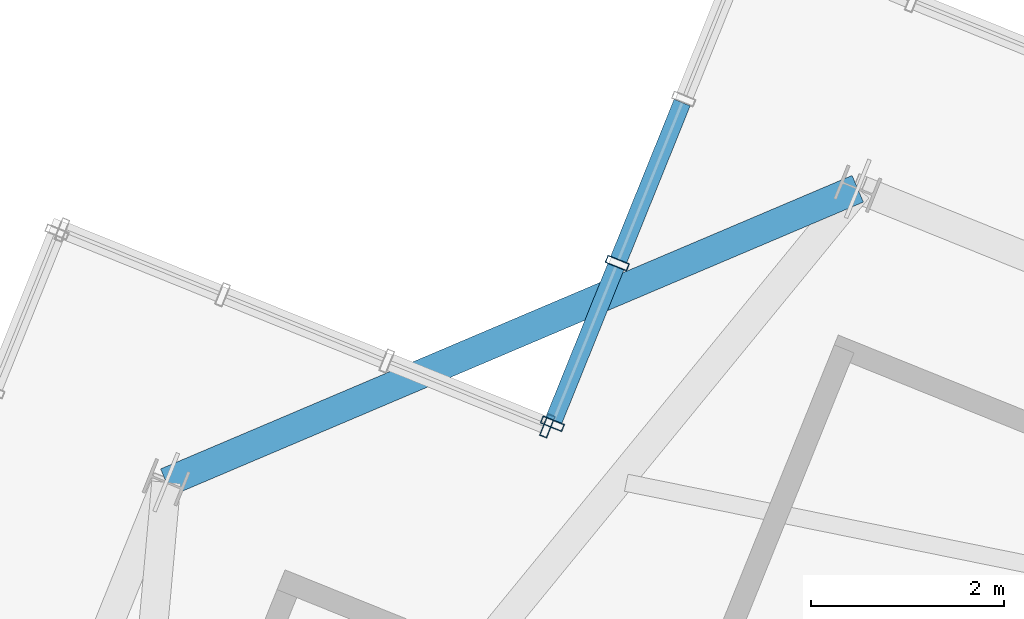
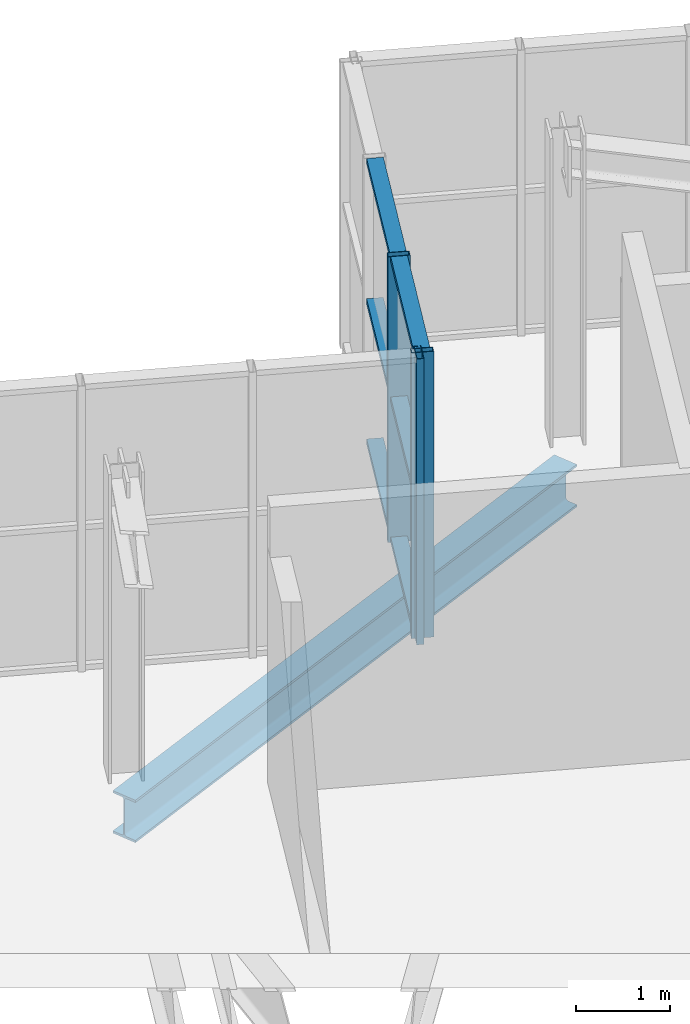
# One storey, part 14 of 26: 9 members, 1 beam, 2 elements without a shape of their own.
"""IFC4 building model written with IfcOpenShell, lengths in metres."""

from ifc_helpers import new_model, si_unit, direction, frame, origin, origin_2d, place, context, subcontext, project, spatial, hollow_rectangle, i_section, extrude, source, transform, mapped, material, layer, layer_set, material_profile, profile_set, type_object, element, aggregate, save


model = new_model("IFC4")

# Units and contexts
model_context = context("Model", 3, precision=1e-05, world=origin(), true_north=direction((0.0, 1.0)))
body_context = subcontext(model_context, "Body", "Model", "MODEL_VIEW")
ifc_project = project(units=[si_unit("LENGTHUNIT", "METRE"), si_unit("AREAUNIT", "SQUARE_METRE"), si_unit("VOLUMEUNIT", "CUBIC_METRE"), si_unit("PLANEANGLEUNIT", "RADIAN"), si_unit("MASSUNIT", "GRAM", prefix="KILO"), si_unit("THERMODYNAMICTEMPERATUREUNIT", "KELVIN")], contexts=[model_context])

# Site, building, storey
site_placement = place(None, origin())
site = spatial("IfcSite", under=ifc_project, at=site_placement, CompositionType="ELEMENT")
building_placement = place(site_placement, origin())
building = spatial("IfcBuilding", under=site, at=building_placement, Name="Kosmvard Interchange Tower", CompositionType="ELEMENT")
storey_placement = place(building_placement, frame((0.0, 0.0, 325.60009765625)))
storey = spatial("IfcBuildingStorey", under=building, at=storey_placement, Name="L80", CompositionType="ELEMENT", Elevation=325.60009765625)

# Beam
ifc_material_1 = material(Name="Steel S355", Category="steel")
ifc_material_profile_1 = material_profile(ifc_material_1, i_section(OverallWidth=0.300048828125, OverallDepth=0.550048828125, WebThickness=0.014892578125, FlangeThickness=0.029052734375, FilletRadius=0.027099609375, at=origin_2d()), Name="HEB 550")
ifc_profile_set_1 = profile_set([ifc_material_profile_1], Name="Steel S355")
beam_type = type_object("IfcBeamType", Name="Crown Ring Cap Girder HEB 550 S355", PredefinedType="BEAM", material=ifc_profile_set_1)
shared_shape_1 = source(origin(), body_context, "Body", "SweptSolid", [
    extrude(i_section(OverallWidth=0.300048828125, OverallDepth=0.550048828125, WebThickness=0.014892578125, FlangeThickness=0.029052734375, FilletRadius=0.027099609375, at=origin_2d()), origin(), (0.0, 0.0, 1.0), 7.778076171875),
])
beam_placement = place(storey_placement, frame((-5.34423828125, 22.54345703125, -0.5751953125), z_axis=(-0.92051132134, -0.39071589075, 0.0), x_axis=(0.39071589075, -0.92051132134, 0.0)))
element("IfcBeam", 1, at=beam_placement, inside=storey, type_object=beam_type, Name="BM-L80-PR06", PredefinedType="BEAM", context=body_context, shape_type="MappedRepresentation", body=[
    mapped(shared_shape_1, transform((0.0, 0.0, 0.0), scale=1.0)),
])

# Curtain wall, members
ifc_material_2 = material(Name="Architectural anodised aluminium", Category="aluminium")
ifc_layer = layer(ifc_material_2, 0.25, Name="Architectural anodised aluminium")
ifc_layer_set = layer_set([ifc_layer], Name="Architectural anodised aluminium")
curtain_wall_type = type_object("IfcCurtainWallType", Name="CW-6 Illuminated Crown Lantern Curtain Wall", PredefinedType="NOTDEFINED", material=ifc_layer_set)
curtain_wall_1_placement = place(storey_placement, origin())
curtain_wall_1 = element("IfcCurtainWall", 2, at=curtain_wall_1_placement, inside=storey, type_object=curtain_wall_type, Name="L80 Crown Lantern Glazing Face 05", PredefinedType="NOTDEFINED")
ifc_material_profile_2 = material_profile(ifc_material_2, hollow_rectangle(XDim=0.239990234375, YDim=0.080078125, WallThickness=0.006103515625, at=origin_2d()), Name="CWM 240x80x6")
ifc_profile_set_2 = profile_set([ifc_material_profile_2], Name="Architectural anodised aluminium")
member_type_1 = type_object("IfcMemberType", Name="Lantern & Observation CW Mullion 240x80 Aluminium", PredefinedType="MULLION", material=ifc_profile_set_2)
shared_shape_2 = source(origin(), body_context, "Body", "SweptSolid", [
    extrude(hollow_rectangle(XDim=0.239990234375, YDim=0.080078125, WallThickness=0.006103515625, at=origin_2d()), origin(), (0.0, 0.0, 1.0), 3.699951171875),
])
member_1_placement = place(storey_placement, frame((-7.833984375, 21.7734375, 0.0), z_axis=(0.0, 0.0, 1.0), x_axis=(0.92718386612, -0.374606564822, 0.0)))
member_1 = element("IfcMember", 3, at=member_1_placement, type_object=member_type_1, Name="CW-6 mullion 3", PredefinedType="MULLION", context=body_context, shape_type="MappedRepresentation", body=[
    mapped(shared_shape_2, transform((0.0, 0.0, 0.0), scale=1.0)),
])
member_2_placement = place(storey_placement, frame((-8.505859375, 20.110595703125, 0.0), z_axis=(0.0, 0.0, 1.0), x_axis=(0.92718386612, -0.374606564822, 0.0)))
member_2 = element("IfcMember", 4, at=member_2_placement, type_object=member_type_1, Name="CW-6 mullion 4", PredefinedType="MULLION", context=body_context, shape_type="MappedRepresentation", body=[
    mapped(shared_shape_2, transform((0.0, 0.0, 0.0), scale=1.0)),
])

# Curtain wall, member
curtain_wall_2_placement = place(storey_placement, origin())
curtain_wall_2 = element("IfcCurtainWall", 5, at=curtain_wall_2_placement, inside=storey, type_object=curtain_wall_type, Name="L80 Crown Lantern Glazing Face 06", PredefinedType="NOTDEFINED")
member_3_placement = place(storey_placement, frame((-8.557861328125, 20.088623046875, 0.0), z_axis=(0.0, 0.0, 1.0), x_axis=(-0.374606501678, -0.927183891631, 0.0)))
member_3 = element("IfcMember", 6, at=member_3_placement, type_object=member_type_1, Name="CW-6 mullion 1", PredefinedType="MULLION", context=body_context, shape_type="MappedRepresentation", body=[
    mapped(shared_shape_2, transform((0.0, 0.0, 0.0), scale=1.0)),
])
aggregate(curtain_wall_2, [member_3])

# Member
ifc_material_profile_3 = material_profile(ifc_material_2, hollow_rectangle(XDim=0.179931640625, YDim=0.070068359375, WallThickness=0.0048828125, at=origin_2d()), Name="CWT 180x70x5")
ifc_profile_set_3 = profile_set([ifc_material_profile_3], Name="Architectural anodised aluminium")
member_type_2 = type_object("IfcMemberType", Name="Heavy Lantern CW Transom 180x70 Aluminium", PredefinedType="USERDEFINED", material=ifc_profile_set_3)
shared_shape_3 = source(origin(), body_context, "Body", "SweptSolid", [
    extrude(hollow_rectangle(XDim=0.179931640625, YDim=0.070068359375, WallThickness=0.0048828125, at=origin_2d()), origin(), (0.0, 0.0, 1.0), 1.71337890625),
])
member_4_placement = place(storey_placement, frame((-7.848876953125, 21.736328125, 0.034912109375), z_axis=(-0.374606758599, -0.927183787829, 0.0), x_axis=(0.927183787829, -0.374606758599, 0.0)))
member_4 = element("IfcMember", 7, at=member_4_placement, type_object=member_type_2, Name="CW-6 transom 3.1", ObjectType="TRANSOM", PredefinedType="USERDEFINED", context=body_context, shape_type="MappedRepresentation", body=[
    mapped(shared_shape_3, transform((0.0, 0.0, 0.0), scale=1.0)),
])

member_5_placement = place(storey_placement, frame((-7.848876953125, 21.736328125, 1.849853515625), z_axis=(-0.374606758599, -0.927183787829, 0.0), x_axis=(0.927183787829, -0.374606758599, 0.0)))
member_5 = element("IfcMember", 8, at=member_5_placement, type_object=member_type_2, Name="CW-6 transom 3.2", ObjectType="TRANSOM", PredefinedType="USERDEFINED", context=body_context, shape_type="MappedRepresentation", body=[
    mapped(shared_shape_3, transform((0.0, 0.0, 0.0), scale=1.0)),
])

member_6_placement = place(storey_placement, frame((-7.848876953125, 21.736328125, 3.664794921875), z_axis=(-0.374606758599, -0.927183787829, 0.0), x_axis=(0.927183787829, -0.374606758599, 0.0)))
member_6 = element("IfcMember", 9, at=member_6_placement, type_object=member_type_2, Name="CW-6 transom 3.3", ObjectType="TRANSOM", PredefinedType="USERDEFINED", context=body_context, shape_type="MappedRepresentation", body=[
    mapped(shared_shape_3, transform((0.0, 0.0, 0.0), scale=1.0)),
])

shared_shape_4 = source(origin(), body_context, "Body", "SweptSolid", [
    extrude(hollow_rectangle(XDim=0.179931640625, YDim=0.070068359375, WallThickness=0.0048828125, at=origin_2d()), origin(), (0.0, 0.0, 1.0), 1.75341796875),
])
member_7_placement = place(storey_placement, frame((-7.162109375, 23.436279296875, 0.034912109375), z_axis=(-0.374677135907, -0.927155350429, 0.0), x_axis=(0.927155350429, -0.374677135907, 0.0)))
member_7 = element("IfcMember", 10, at=member_7_placement, type_object=member_type_2, Name="CW-6 transom 2.1", ObjectType="TRANSOM", PredefinedType="USERDEFINED", context=body_context, shape_type="MappedRepresentation", body=[
    mapped(shared_shape_4, transform((0.0, 0.0, 0.0), scale=1.0)),
])

member_8_placement = place(storey_placement, frame((-7.162109375, 23.436279296875, 1.849853515625), z_axis=(-0.374677135907, -0.927155350429, 0.0), x_axis=(0.927155350429, -0.374677135907, 0.0)))
member_8 = element("IfcMember", 11, at=member_8_placement, type_object=member_type_2, Name="CW-6 transom 2.2", ObjectType="TRANSOM", PredefinedType="USERDEFINED", context=body_context, shape_type="MappedRepresentation", body=[
    mapped(shared_shape_4, transform((0.0, 0.0, 0.0), scale=1.0)),
])

member_9_placement = place(storey_placement, frame((-7.162109375, 23.436279296875, 3.664794921875), z_axis=(-0.374677135907, -0.927155350429, 0.0), x_axis=(0.927155350429, -0.374677135907, 0.0)))
member_9 = element("IfcMember", 12, at=member_9_placement, type_object=member_type_2, Name="CW-6 transom 2.3", ObjectType="TRANSOM", PredefinedType="USERDEFINED", context=body_context, shape_type="MappedRepresentation", body=[
    mapped(shared_shape_4, transform((0.0, 0.0, 0.0), scale=1.0)),
])

aggregate(curtain_wall_1, [member_1, member_2, member_7, member_8, member_9, member_4, member_5, member_6])

save(model, "model.ifc")
